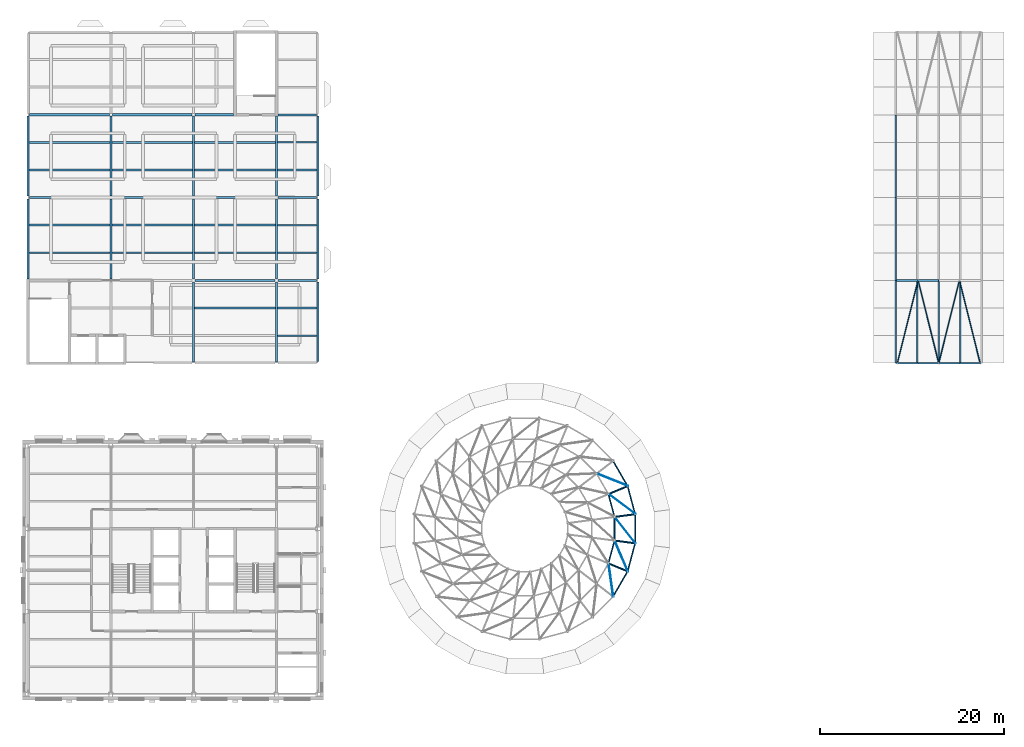
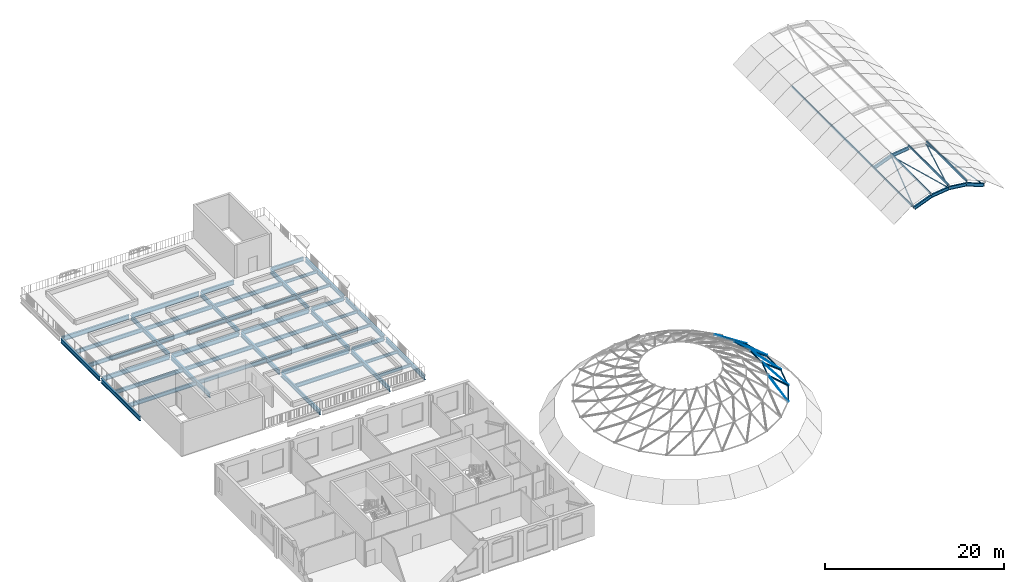
# One storey, part 7 of 33: 52 beams, 28 members.
"""IFC4 building model written with IfcOpenShell, lengths in metres."""

from ifc_helpers import new_model, si_unit, direction, frame, origin, origin_2d, place, context, subcontext, project, spatial, rectangle, hollow_rectangle, circle, hollow_circle, i_section, extrude, material, material_profile, profile_set, type_object, element, save


model = new_model("IFC4")

# Units and contexts
model_context = context("Model", 3, precision=1e-05, world=origin(), true_north=direction((0.0, 1.0)))
body_context = subcontext(model_context, "Body", "Model", "MODEL_VIEW")
ifc_project = project(units=[si_unit("LENGTHUNIT", "METRE"), si_unit("AREAUNIT", "SQUARE_METRE"), si_unit("VOLUMEUNIT", "CUBIC_METRE"), si_unit("PLANEANGLEUNIT", "RADIAN"), si_unit("MASSUNIT", "GRAM", prefix="KILO")], contexts=[model_context])

# Site, building, storey
site_placement = place(None, origin())
site = spatial("IfcSite", under=ifc_project, at=site_placement, CompositionType="ELEMENT")
building_placement = place(site_placement, origin())
building = spatial("IfcBuilding", under=site, at=building_placement, Name="Hortulan Conservatory and Botanical Research Centre", CompositionType="ELEMENT")
storey_placement = place(building_placement, frame((0.0, 0.0, 19.199951171875)))
storey = spatial("IfcBuildingStorey", under=building, at=storey_placement, Name="L04", CompositionType="ELEMENT", Elevation=19.199951171875)

# Members
ifc_material_1 = material(Name="Steel Grade 300PLUS (AS/NZS 3679.1, 280 MPa minimum yield)", Category="steel")
ifc_material_profile_1 = material_profile(ifc_material_1, circle(Radius=0.011962890625, at=origin_2d()), Name="24 dia rod")
ifc_profile_set_1 = profile_set([ifc_material_profile_1], Name="Steel Grade 300PLUS (AS/NZS 3679.1, 280 MPa minimum yield)")
member_type_1 = type_object("IfcMemberType", Name="Dome Diagonal Rod 24 dia rod", PredefinedType="BRACE", material=ifc_profile_set_1)
member_1_placement = place(storey_placement, frame((65.99658203125, 19.579345703125, 0.4365234375), z_axis=(-0.730872378589, 0.549350926375, 0.405017439016), x_axis=(-0.600837299522, -0.799371340181, 0.0)))
element("IfcMember", 1, at=member_1_placement, inside=storey, type_object=member_type_1, Name="Dome diagonal rod row 5 panel 01", PredefinedType="BRACE", context=body_context, shape_type="SweptSolid", body=[
    extrude(circle(Radius=0.011962890625, at=origin_2d()), origin(), (0.0, 0.0, 1.0), 3.978515625),
])
for number, where, z_axis, x_axis, name in (
    (2, (65.178955078125, 22.630615234375, 0.4365234375), (-0.848139316729, 0.341465062104, 0.405044825645), (-0.373472871986, -0.927641101877, 0.0), "Dome diagonal rod row 5 panel 02"),
    (3, (63.599609375, 10.634033203125, 0.4365234375), (-0.128389723869, 0.905233473745, 0.40505362215), (-0.990091297131, -0.140425152108, 0.0), "Dome diagonal rod row 5 panel 22"),
):
    element("IfcMember", number, at=place(storey_placement, frame(where, z_axis=z_axis, x_axis=x_axis)), inside=storey, type_object=member_type_1, Name=name, PredefinedType="BRACE", context=body_context, shape_type="SweptSolid", body=[
        extrude(circle(Radius=0.011962890625, at=origin_2d()), origin(), (0.0, 0.0, 1.0), 3.97802734375),
    ])
for number, where, z_axis, x_axis, name in (
    (4, (65.178955078125, 13.369384765625, 0.4365234375), (-0.35827138585, 0.841182919809, 0.405034454712), (-0.920028012048, -0.39185259607, 0.0), "Dome diagonal rod row 5 panel 23"),
    (5, (65.99658203125, 16.420654296875, 0.4365234375), (-0.563788980765, 0.719786759049, 0.405029636774), (-0.787251404605, -0.616632164217, 0.0), "Dome diagonal rod row 5 panel 24"),
):
    element("IfcMember", number, at=place(storey_placement, frame(where, z_axis=z_axis, x_axis=x_axis)), inside=storey, type_object=member_type_1, Name=name, PredefinedType="BRACE", context=body_context, shape_type="SweptSolid", body=[
        extrude(circle(Radius=0.011962890625, at=origin_2d()), origin(), (0.0, 0.0, 1.0), 3.978271484375),
    ])
ifc_material_2 = material(Name="Bronze-finished aluminium", Category="aluminium")
ifc_material_profile_2 = material_profile(ifc_material_2, rectangle(XDim=0.050048828125, YDim=0.050048828125, at=origin_2d()), Name="Square bar 50x50")
ifc_profile_set_2 = profile_set([ifc_material_profile_2], Name="Bronze-finished aluminium")
member_type_2 = type_object("IfcMemberType", Name="Dome Glazing Bar 50x50", PredefinedType="MEMBER", material=ifc_profile_set_2)
for number, where, z_axis, x_axis, name in (
    (6, (66.041015625, 19.585205078125, 0.49072265625), (-0.730834494432, 0.549364003386, 0.405068060371), (-0.600866339912, -0.799349511516, 0.0), "Dome glazing bar row 5 panel 01"),
    (7, (65.220458984375, 22.647705078125, 0.49072265625), (-0.848117516908, 0.341484848384, 0.405073790608), (-0.373499755129, -0.927630278138, 0.0), "Dome glazing bar row 5 panel 02"),
    (8, (63.63525390625, 10.606689453125, 0.49072265625), (-0.128340334804, 0.905230422477, 0.405076092463), (-0.990098740456, -0.140372661683, 0.0), "Dome glazing bar row 5 panel 22"),
):
    element("IfcMember", number, at=place(storey_placement, frame(where, z_axis=z_axis, x_axis=x_axis)), inside=storey, type_object=member_type_2, Name=name, PredefinedType="MEMBER", context=body_context, shape_type="SweptSolid", body=[
        extrude(rectangle(XDim=0.050048828125, YDim=0.050048828125, at=origin_2d()), origin(), (0.0, 0.0, 1.0), 3.992919921875),
    ])
member_2_placement = place(storey_placement, frame((65.220458984375, 13.352294921875, 0.49072265625), z_axis=(-0.358282290024, 0.841168557363, 0.405054636759), x_axis=(-0.920021300217, -0.391868354359, 0.0)))
element("IfcMember", 9, at=member_2_placement, inside=storey, type_object=member_type_2, Name="Dome glazing bar row 5 panel 23", PredefinedType="MEMBER", context=body_context, shape_type="SweptSolid", body=[
    extrude(rectangle(XDim=0.050048828125, YDim=0.050048828125, at=origin_2d()), origin(), (0.0, 0.0, 1.0), 3.9931640625),
])
member_3_placement = place(storey_placement, frame((66.041015625, 16.414794921875, 0.49072265625), z_axis=(-0.563791077974, 0.719764512517, 0.405066250036), x_axis=(-0.787241039049, -0.616645397645, 0.0)))
element("IfcMember", 10, at=member_3_placement, inside=storey, type_object=member_type_2, Name="Dome glazing bar row 5 panel 24", PredefinedType="MEMBER", context=body_context, shape_type="SweptSolid", body=[
    extrude(rectangle(XDim=0.050048828125, YDim=0.050048828125, at=origin_2d()), origin(), (0.0, 0.0, 1.0), 3.992919921875),
])

# Beams
ifc_material_3 = material(Name="Steel Grade C350L0 (350 MPa, AS/NZS 1163)", Category="steel")
ifc_material_profile_3 = material_profile(ifc_material_3, hollow_circle(Radius=0.109619140625, WallThickness=0.00830078125, at=origin_2d()), Name="219.1x8.2CHS")
ifc_profile_set_3 = profile_set([ifc_material_profile_3], Name="Steel Grade C350L0 (350 MPa, AS/NZS 1163)")
beam_type_1 = type_object("IfcBeamType", Name="Dome Rib 219.1x8.2 CHS", PredefinedType="BEAM", material=ifc_profile_set_3)
beam_1_placement = place(storey_placement, frame((65.99658203125, 19.579345703125, 0.4365234375), z_axis=(-0.807548421154, -0.106272563533, 0.580147989509), x_axis=(0.130474054037, -0.991451724101, 0.0)))
element("IfcBeam", 11, at=beam_1_placement, inside=storey, type_object=beam_type_1, Name="Dome rib 01 segment 5", PredefinedType="BEAM", context=body_context, shape_type="SweptSolid", body=[
    extrude(hollow_circle(Radius=0.109619140625, WallThickness=0.00830078125, at=origin_2d()), origin(), (0.0, 0.0, 1.0), 2.77734375),
])
for number, where, z_axis, x_axis, name in (
    (12, (65.178955078125, 22.630615234375, 0.4365234375), (-0.752515905335, -0.311695059025, 0.580143087865), (0.382675850727, -0.923882672892, 0.0), "Dome rib 02 segment 5"),
    (13, (65.178955078125, 13.369384765625, 0.4365234375), (-0.752515905335, 0.311695059025, 0.580143087865), (-0.382675850727, -0.923882672892, 0.0), "Dome rib 23 segment 5"),
):
    element("IfcBeam", number, at=place(storey_placement, frame(where, z_axis=z_axis, x_axis=x_axis)), inside=storey, type_object=beam_type_1, Name=name, PredefinedType="BEAM", context=body_context, shape_type="SweptSolid", body=[
        extrude(hollow_circle(Radius=0.109619140625, WallThickness=0.00830078125, at=origin_2d()), origin(), (0.0, 0.0, 1.0), 2.777587890625),
    ])
beam_2_placement = place(storey_placement, frame((65.99658203125, 16.420654296875, 0.4365234375), z_axis=(-0.807548421154, 0.106272563533, 0.580147989509), x_axis=(-0.130474054037, -0.991451724101, 0.0)))
element("IfcBeam", 14, at=beam_2_placement, inside=storey, type_object=beam_type_1, Name="Dome rib 24 segment 5", PredefinedType="BEAM", context=body_context, shape_type="SweptSolid", body=[
    extrude(hollow_circle(Radius=0.109619140625, WallThickness=0.00830078125, at=origin_2d()), origin(), (0.0, 0.0, 1.0), 2.77734375),
])

# Members
ifc_material_profile_4 = material_profile(ifc_material_3, hollow_circle(Radius=0.084228515625, WallThickness=0.00634765625, at=origin_2d()), Name="168.3x6.4CHS")
ifc_profile_set_4 = profile_set([ifc_material_profile_4], Name="Steel Grade C350L0 (350 MPa, AS/NZS 1163)")
member_type_3 = type_object("IfcMemberType", Name="Dome Ring 168.3x6.4 CHS", PredefinedType="PURLIN", material=ifc_profile_set_4)
member_4_placement = place(storey_placement, frame((65.99658203125, 19.579345703125, 0.4365234375), z_axis=(-0.258831375211, 0.965922522362, 0.0), x_axis=(-0.965922522362, -0.258831375211, 0.0)))
element("IfcMember", 15, at=member_4_placement, inside=storey, type_object=member_type_3, Name="Dome ring 4 chord 01", PredefinedType="PURLIN", context=body_context, shape_type="SweptSolid", body=[
    extrude(hollow_circle(Radius=0.084228515625, WallThickness=0.00634765625, at=origin_2d()), origin(), (0.0, 0.0, 1.0), 3.158935546875),
])
for number, where, z_axis, x_axis, name in (
    (16, (65.178955078125, 22.630615234375, 0.4365234375), (-0.500021309151, 0.866013100591, 0.0), (-0.866013100591, -0.500021309151, 0.0), "Dome ring 4 chord 02"),
    (17, (63.599609375, 10.634033203125, 0.4365234375), (0.500021309151, 0.866013100591, 0.0), (-0.866013100591, 0.500021309151, 0.0), "Dome ring 4 chord 22"),
):
    element("IfcMember", number, at=place(storey_placement, frame(where, z_axis=z_axis, x_axis=x_axis)), inside=storey, type_object=member_type_3, Name=name, PredefinedType="PURLIN", context=body_context, shape_type="SweptSolid", body=[
        extrude(hollow_circle(Radius=0.084228515625, WallThickness=0.00634765625, at=origin_2d()), origin(), (0.0, 0.0, 1.0), 3.158447265625),
    ])
member_5_placement = place(storey_placement, frame((65.178955078125, 13.369384765625, 0.4365234375), z_axis=(0.258831375211, 0.965922522362, 0.0), x_axis=(-0.965922522362, 0.258831375211, 0.0)))
element("IfcMember", 18, at=member_5_placement, inside=storey, type_object=member_type_3, Name="Dome ring 4 chord 23", PredefinedType="PURLIN", context=body_context, shape_type="SweptSolid", body=[
    extrude(hollow_circle(Radius=0.084228515625, WallThickness=0.00634765625, at=origin_2d()), origin(), (0.0, 0.0, 1.0), 3.158935546875),
])
member_6_placement = place(storey_placement, frame((65.99658203125, 16.420654296875, 0.4365234375), z_axis=(0.0, 1.0, 0.0), x_axis=(-1.0, 0.0, 0.0)))
element("IfcMember", 19, at=member_6_placement, inside=storey, type_object=member_type_3, Name="Dome ring 4 chord 24", PredefinedType="PURLIN", context=body_context, shape_type="SweptSolid", body=[
    extrude(hollow_circle(Radius=0.084228515625, WallThickness=0.00634765625, at=origin_2d()), origin(), (0.0, 0.0, 1.0), 3.15869140625),
])
for number, where, z_axis, x_axis, name in (
    (20, (63.753662109375, 19.2841796875, 2.0478515625), (-0.258851706779, 0.965917074027, 0.0), (-0.965917074027, -0.258851706779, 0.0), "Dome ring 5 chord 01"),
    (21, (63.0888671875, 14.235107421875, 2.0478515625), (0.258851706779, 0.965917074027, 0.0), (-0.965917074027, 0.258851706779, 0.0), "Dome ring 5 chord 23"),
    (22, (63.753662109375, 16.7158203125, 2.0478515625), (0.0, 1.0, 0.0), (-1.0, 0.0, 0.0), "Dome ring 5 chord 24"),
):
    element("IfcMember", number, at=place(storey_placement, frame(where, z_axis=z_axis, x_axis=x_axis)), inside=storey, type_object=member_type_3, Name=name, PredefinedType="PURLIN", context=body_context, shape_type="SweptSolid", body=[
        extrude(hollow_circle(Radius=0.084228515625, WallThickness=0.00634765625, at=origin_2d()), origin(), (0.0, 0.0, 1.0), 2.568359375),
    ])

# Beams
ifc_material_profile_5 = material_profile(ifc_material_1, i_section(OverallWidth=0.208984375, OverallDepth=0.528076171875, WebThickness=0.009521484375, FlangeThickness=0.01318359375, FilletRadius=0.013916015625, at=origin_2d()), Name="530UB82.0")
ifc_profile_set_5 = profile_set([ifc_material_profile_5], Name="Steel Grade 300PLUS (AS/NZS 3679.1, 280 MPa minimum yield)")
beam_type_2 = type_object("IfcBeamType", Name="Primary Beam 530UB82.0", PredefinedType="BEAM", material=ifc_profile_set_5)
for number, where, z_axis, x_axis, name in (
    (23, (27.153564453125, 45.0, -0.513916015625), (1.0, 0.0, 0.0), (0.0, 1.0, 0.0), "530UB82.0 girder"),
    (24, (27.153564453125, 54.0, -0.513916015625), (1.0, 0.0, 0.0), (0.0, 1.0, 0.0), "530UB82.0 girder"),
):
    element("IfcBeam", number, at=place(storey_placement, frame(where, z_axis=z_axis, x_axis=x_axis)), inside=storey, type_object=beam_type_2, Name=name, PredefinedType="BEAM", context=body_context, shape_type="SweptSolid", body=[
        extrude(i_section(OverallWidth=0.208984375, OverallDepth=0.528076171875, WebThickness=0.009521484375, FlangeThickness=0.01318359375, FilletRadius=0.013916015625, at=origin_2d()), origin(), (0.0, 0.0, 1.0), 4.19287109375),
    ])
beam_3_placement = place(storey_placement, frame((27.14990234375, 63.0, -0.513916015625), z_axis=(1.0, 0.0, 0.0), x_axis=(0.0, 1.0, 0.0)))
element("IfcBeam", 25, at=beam_3_placement, inside=storey, type_object=beam_type_2, Name="530UB82.0 girder", PredefinedType="BEAM", context=body_context, shape_type="SweptSolid", body=[
    extrude(i_section(OverallWidth=0.208984375, OverallDepth=0.528076171875, WebThickness=0.009521484375, FlangeThickness=0.01318359375, FilletRadius=0.013916015625, at=origin_2d()), origin(), (0.0, 0.0, 1.0), 4.196533203125),
])
ifc_material_profile_6 = material_profile(ifc_material_1, i_section(OverallWidth=0.22802734375, OverallDepth=0.60693359375, WebThickness=0.01123046875, FlangeThickness=0.017333984375, FilletRadius=0.013916015625, at=origin_2d()), Name="610UB113")
ifc_profile_set_6 = profile_set([ifc_material_profile_6], Name="Steel Grade 300PLUS (AS/NZS 3679.1, 280 MPa minimum yield)")
beam_type_3 = type_object("IfcBeamType", Name="Primary Beam 610UB113", PredefinedType="BEAM", material=ifc_profile_set_6)
beam_4_placement = place(storey_placement, frame((0.0, 45.14990234375, -0.553466796875), z_axis=(0.0, 1.0, 0.0), x_axis=(-1.0, 0.0, 0.0)))
element("IfcBeam", 26, at=beam_4_placement, inside=storey, type_object=beam_type_3, Name="610UB113 girder", PredefinedType="BEAM", context=body_context, shape_type="SweptSolid", body=[
    extrude(i_section(OverallWidth=0.22802734375, OverallDepth=0.60693359375, WebThickness=0.01123046875, FlangeThickness=0.017333984375, FilletRadius=0.013916015625, at=origin_2d()), origin(), (0.0, 0.0, 1.0), 8.692626953125),
])
for number, where, z_axis, x_axis, name in (
    (27, (0.0, 54.157470703125, -0.553466796875), (0.0, 1.0, 0.0), (-1.0, 0.0, 0.0), "610UB113 girder"),
    (28, (31.5, 36.157470703125, -0.553466796875), (0.0, 1.0, 0.0), (-1.0, 0.0, 0.0), "610UB113 girder"),
    (29, (31.5, 45.157470703125, -0.553466796875), (0.0, 1.0, 0.0), (-1.0, 0.0, 0.0), "610UB113 girder"),
    (30, (31.5, 54.157470703125, -0.553466796875), (0.0, 1.0, 0.0), (-1.0, 0.0, 0.0), "610UB113 girder"),
):
    element("IfcBeam", number, at=place(storey_placement, frame(where, z_axis=z_axis, x_axis=x_axis)), inside=storey, type_object=beam_type_3, Name=name, PredefinedType="BEAM", context=body_context, shape_type="SweptSolid", body=[
        extrude(i_section(OverallWidth=0.22802734375, OverallDepth=0.60693359375, WebThickness=0.01123046875, FlangeThickness=0.017333984375, FilletRadius=0.013916015625, at=origin_2d()), origin(), (0.0, 0.0, 1.0), 8.68505859375),
    ])
ifc_material_profile_7 = material_profile(ifc_material_1, i_section(OverallWidth=0.22900390625, OverallDepth=0.612060546875, WebThickness=0.011962890625, FlangeThickness=0.01953125, FilletRadius=0.013916015625, at=origin_2d()), Name="610UB125")
ifc_profile_set_7 = profile_set([ifc_material_profile_7], Name="Steel Grade 300PLUS (AS/NZS 3679.1, 280 MPa minimum yield)")
beam_type_4 = type_object("IfcBeamType", Name="Primary Beam 610UB125", PredefinedType="BEAM", material=ifc_profile_set_7)
for number, where, z_axis, x_axis, name in (
    (31, (0.153564453125, 54.0, -0.555908203125), (1.0, 0.0, 0.0), (0.0, 1.0, 0.0), "610UB125 girder"),
    (32, (0.153564453125, 63.0, -0.555908203125), (1.0, 0.0, 0.0), (0.0, 1.0, 0.0), "610UB125 girder"),
):
    element("IfcBeam", number, at=place(storey_placement, frame(where, z_axis=z_axis, x_axis=x_axis)), inside=storey, type_object=beam_type_4, Name=name, PredefinedType="BEAM", context=body_context, shape_type="SweptSolid", body=[
        extrude(i_section(OverallWidth=0.22900390625, OverallDepth=0.612060546875, WebThickness=0.011962890625, FlangeThickness=0.01953125, FilletRadius=0.013916015625, at=origin_2d()), origin(), (0.0, 0.0, 1.0), 8.69287109375),
    ])
for number, where, z_axis, x_axis, name in (
    (33, (9.0, 45.157470703125, -0.555908203125), (0.0, 1.0, 0.0), (-1.0, 0.0, 0.0), "610UB125 girder"),
    (34, (9.0, 54.157470703125, -0.555908203125), (0.0, 1.0, 0.0), (-1.0, 0.0, 0.0), "610UB125 girder"),
):
    element("IfcBeam", number, at=place(storey_placement, frame(where, z_axis=z_axis, x_axis=x_axis)), inside=storey, type_object=beam_type_4, Name=name, PredefinedType="BEAM", context=body_context, shape_type="SweptSolid", body=[
        extrude(i_section(OverallWidth=0.22900390625, OverallDepth=0.612060546875, WebThickness=0.011962890625, FlangeThickness=0.01953125, FilletRadius=0.013916015625, at=origin_2d()), origin(), (0.0, 0.0, 1.0), 8.68505859375),
    ])
for number, where, z_axis, x_axis, name in (
    (35, (9.153564453125, 54.0, -0.555908203125), (1.0, 0.0, 0.0), (0.0, 1.0, 0.0), "610UB125 girder"),
    (36, (9.153564453125, 63.0, -0.555908203125), (1.0, 0.0, 0.0), (0.0, 1.0, 0.0), "610UB125 girder"),
):
    element("IfcBeam", number, at=place(storey_placement, frame(where, z_axis=z_axis, x_axis=x_axis)), inside=storey, type_object=beam_type_4, Name=name, PredefinedType="BEAM", context=body_context, shape_type="SweptSolid", body=[
        extrude(i_section(OverallWidth=0.22900390625, OverallDepth=0.612060546875, WebThickness=0.011962890625, FlangeThickness=0.01953125, FilletRadius=0.013916015625, at=origin_2d()), origin(), (0.0, 0.0, 1.0), 8.69287109375),
    ])
beam_5_placement = place(storey_placement, frame((18.0, 36.153564453125, -0.555908203125), z_axis=(0.0, 1.0, 0.0), x_axis=(-1.0, 0.0, 0.0)))
element("IfcBeam", 37, at=beam_5_placement, inside=storey, type_object=beam_type_4, Name="610UB125 girder", PredefinedType="BEAM", context=body_context, shape_type="SweptSolid", body=[
    extrude(i_section(OverallWidth=0.22900390625, OverallDepth=0.612060546875, WebThickness=0.011962890625, FlangeThickness=0.01953125, FilletRadius=0.013916015625, at=origin_2d()), origin(), (0.0, 0.0, 1.0), 8.68896484375),
])
beam_6_placement = place(storey_placement, frame((18.0, 45.157470703125, -0.555908203125), z_axis=(0.0, 1.0, 0.0), x_axis=(-1.0, 0.0, 0.0)))
element("IfcBeam", 38, at=beam_6_placement, inside=storey, type_object=beam_type_4, Name="610UB125 girder", PredefinedType="BEAM", context=body_context, shape_type="SweptSolid", body=[
    extrude(i_section(OverallWidth=0.22900390625, OverallDepth=0.612060546875, WebThickness=0.011962890625, FlangeThickness=0.01953125, FilletRadius=0.013916015625, at=origin_2d()), origin(), (0.0, 0.0, 1.0), 8.68505859375),
])
beam_7_placement = place(storey_placement, frame((18.153564453125, 45.0, -0.555908203125), z_axis=(1.0, 0.0, 0.0), x_axis=(0.0, 1.0, 0.0)))
element("IfcBeam", 39, at=beam_7_placement, inside=storey, type_object=beam_type_4, Name="610UB125 girder", PredefinedType="BEAM", context=body_context, shape_type="SweptSolid", body=[
    extrude(i_section(OverallWidth=0.22900390625, OverallDepth=0.612060546875, WebThickness=0.011962890625, FlangeThickness=0.01953125, FilletRadius=0.013916015625, at=origin_2d()), origin(), (0.0, 0.0, 1.0), 8.69287109375),
])
beam_8_placement = place(storey_placement, frame((18.0, 54.157470703125, -0.555908203125), z_axis=(0.0, 1.0, 0.0), x_axis=(-1.0, 0.0, 0.0)))
element("IfcBeam", 40, at=beam_8_placement, inside=storey, type_object=beam_type_4, Name="610UB125 girder", PredefinedType="BEAM", context=body_context, shape_type="SweptSolid", body=[
    extrude(i_section(OverallWidth=0.22900390625, OverallDepth=0.612060546875, WebThickness=0.011962890625, FlangeThickness=0.01953125, FilletRadius=0.013916015625, at=origin_2d()), origin(), (0.0, 0.0, 1.0), 8.68505859375),
])
beam_9_placement = place(storey_placement, frame((18.153564453125, 54.0, -0.555908203125), z_axis=(1.0, 0.0, 0.0), x_axis=(0.0, 1.0, 0.0)))
element("IfcBeam", 41, at=beam_9_placement, inside=storey, type_object=beam_type_4, Name="610UB125 girder", PredefinedType="BEAM", context=body_context, shape_type="SweptSolid", body=[
    extrude(i_section(OverallWidth=0.22900390625, OverallDepth=0.612060546875, WebThickness=0.011962890625, FlangeThickness=0.01953125, FilletRadius=0.013916015625, at=origin_2d()), origin(), (0.0, 0.0, 1.0), 8.69287109375),
])
beam_10_placement = place(storey_placement, frame((18.153564453125, 63.0, -0.555908203125), z_axis=(1.0, 0.0, 0.0), x_axis=(0.0, 1.0, 0.0)))
element("IfcBeam", 42, at=beam_10_placement, inside=storey, type_object=beam_type_4, Name="610UB125 girder", PredefinedType="BEAM", context=body_context, shape_type="SweptSolid", body=[
    extrude(i_section(OverallWidth=0.22900390625, OverallDepth=0.612060546875, WebThickness=0.011962890625, FlangeThickness=0.01953125, FilletRadius=0.013916015625, at=origin_2d()), origin(), (0.0, 0.0, 1.0), 4.196533203125),
])
beam_11_placement = place(storey_placement, frame((27.0, 36.153564453125, -0.555908203125), z_axis=(0.0, 1.0, 0.0), x_axis=(-1.0, 0.0, 0.0)))
element("IfcBeam", 43, at=beam_11_placement, inside=storey, type_object=beam_type_4, Name="610UB125 girder", PredefinedType="BEAM", context=body_context, shape_type="SweptSolid", body=[
    extrude(i_section(OverallWidth=0.22900390625, OverallDepth=0.612060546875, WebThickness=0.011962890625, FlangeThickness=0.01953125, FilletRadius=0.013916015625, at=origin_2d()), origin(), (0.0, 0.0, 1.0), 8.68896484375),
])
beam_12_placement = place(storey_placement, frame((27.0, 45.157470703125, -0.555908203125), z_axis=(0.0, 1.0, 0.0), x_axis=(-1.0, 0.0, 0.0)))
element("IfcBeam", 44, at=beam_12_placement, inside=storey, type_object=beam_type_4, Name="610UB125 girder", PredefinedType="BEAM", context=body_context, shape_type="SweptSolid", body=[
    extrude(i_section(OverallWidth=0.22900390625, OverallDepth=0.612060546875, WebThickness=0.011962890625, FlangeThickness=0.01953125, FilletRadius=0.013916015625, at=origin_2d()), origin(), (0.0, 0.0, 1.0), 8.68505859375),
])
beam_13_placement = place(storey_placement, frame((27.0, 54.157470703125, -0.555908203125), z_axis=(0.0, 1.0, 0.0), x_axis=(-1.0, 0.0, 0.0)))
element("IfcBeam", 45, at=beam_13_placement, inside=storey, type_object=beam_type_4, Name="610UB125 girder", PredefinedType="BEAM", context=body_context, shape_type="SweptSolid", body=[
    extrude(i_section(OverallWidth=0.22900390625, OverallDepth=0.612060546875, WebThickness=0.011962890625, FlangeThickness=0.01953125, FilletRadius=0.013916015625, at=origin_2d()), origin(), (0.0, 0.0, 1.0), 8.692626953125),
])
ifc_material_profile_8 = material_profile(ifc_material_1, i_section(OverallWidth=0.177978515625, OverallDepth=0.406005859375, WebThickness=0.0078125, FlangeThickness=0.0126953125, FilletRadius=0.011474609375, at=origin_2d()), Name="410UB59.7")
ifc_profile_set_8 = profile_set([ifc_material_profile_8], Name="Steel Grade 300PLUS (AS/NZS 3679.1, 280 MPa minimum yield)")
beam_type_5 = type_object("IfcBeamType", Name="Secondary Beam 410UB59.7", PredefinedType="JOIST", material=ifc_profile_set_8)
for number, where, z_axis, x_axis, name in (
    (46, (27.114501953125, 39.0, -0.452880859375), (1.0, 0.0, 0.0), (0.0, 1.0, 0.0), "410UB59.7 secondary beam"),
    (47, (27.114501953125, 42.0, -0.452880859375), (1.0, 0.0, 0.0), (0.0, 1.0, 0.0), "410UB59.7 secondary beam"),
    (48, (27.114501953125, 48.0, -0.452880859375), (1.0, 0.0, 0.0), (0.0, 1.0, 0.0), "410UB59.7 secondary beam"),
    (49, (27.114501953125, 51.0, -0.452880859375), (1.0, 0.0, 0.0), (0.0, 1.0, 0.0), "410UB59.7 secondary beam"),
    (50, (27.114501953125, 57.0, -0.452880859375), (1.0, 0.0, 0.0), (0.0, 1.0, 0.0), "410UB59.7 secondary beam"),
    (51, (27.114501953125, 60.0, -0.452880859375), (1.0, 0.0, 0.0), (0.0, 1.0, 0.0), "410UB59.7 secondary beam"),
):
    element("IfcBeam", number, at=place(storey_placement, frame(where, z_axis=z_axis, x_axis=x_axis)), inside=storey, type_object=beam_type_5, Name=name, PredefinedType="JOIST", context=body_context, shape_type="SweptSolid", body=[
        extrude(i_section(OverallWidth=0.177978515625, OverallDepth=0.406005859375, WebThickness=0.0078125, FlangeThickness=0.0126953125, FilletRadius=0.011474609375, at=origin_2d()), origin(), (0.0, 0.0, 1.0), 4.271484375),
    ])
ifc_material_profile_9 = material_profile(ifc_material_1, i_section(OverallWidth=0.208984375, OverallDepth=0.528076171875, WebThickness=0.009521484375, FlangeThickness=0.01318359375, FilletRadius=0.013916015625, at=origin_2d()), Name="530UB82.0")
ifc_profile_set_9 = profile_set([ifc_material_profile_9], Name="Steel Grade 300PLUS (AS/NZS 3679.1, 280 MPa minimum yield)")
beam_type_6 = type_object("IfcBeamType", Name="Secondary Beam 530UB82.0", PredefinedType="JOIST", material=ifc_profile_set_9)
for number, where, z_axis, x_axis, name in (
    (52, (0.114013671875, 48.0, -0.513916015625), (1.0, 0.0, 0.0), (0.0, 1.0, 0.0), "530UB82.0 secondary beam"),
    (53, (0.114013671875, 51.0, -0.513916015625), (1.0, 0.0, 0.0), (0.0, 1.0, 0.0), "530UB82.0 secondary beam"),
    (54, (0.114013671875, 57.0, -0.513916015625), (1.0, 0.0, 0.0), (0.0, 1.0, 0.0), "530UB82.0 secondary beam"),
    (55, (0.114013671875, 60.0, -0.513916015625), (1.0, 0.0, 0.0), (0.0, 1.0, 0.0), "530UB82.0 secondary beam"),
):
    element("IfcBeam", number, at=place(storey_placement, frame(where, z_axis=z_axis, x_axis=x_axis)), inside=storey, type_object=beam_type_6, Name=name, PredefinedType="JOIST", context=body_context, shape_type="SweptSolid", body=[
        extrude(i_section(OverallWidth=0.208984375, OverallDepth=0.528076171875, WebThickness=0.009521484375, FlangeThickness=0.01318359375, FilletRadius=0.013916015625, at=origin_2d()), origin(), (0.0, 0.0, 1.0), 8.771484375),
    ])
for number, where, z_axis, x_axis, name in (
    (56, (9.114501953125, 48.0, -0.513916015625), (1.0, 0.0, 0.0), (0.0, 1.0, 0.0), "530UB82.0 secondary beam"),
    (57, (9.114501953125, 51.0, -0.513916015625), (1.0, 0.0, 0.0), (0.0, 1.0, 0.0), "530UB82.0 secondary beam"),
    (58, (9.114501953125, 57.0, -0.513916015625), (1.0, 0.0, 0.0), (0.0, 1.0, 0.0), "530UB82.0 secondary beam"),
    (59, (9.114501953125, 60.0, -0.513916015625), (1.0, 0.0, 0.0), (0.0, 1.0, 0.0), "530UB82.0 secondary beam"),
    (60, (18.114501953125, 42.0, -0.513916015625), (1.0, 0.0, 0.0), (0.0, 1.0, 0.0), "530UB82.0 secondary beam"),
    (61, (18.114501953125, 48.0, -0.513916015625), (1.0, 0.0, 0.0), (0.0, 1.0, 0.0), "530UB82.0 secondary beam"),
    (62, (18.114501953125, 51.0, -0.513916015625), (1.0, 0.0, 0.0), (0.0, 1.0, 0.0), "530UB82.0 secondary beam"),
    (63, (18.114501953125, 57.0, -0.513916015625), (1.0, 0.0, 0.0), (0.0, 1.0, 0.0), "530UB82.0 secondary beam"),
    (64, (18.114501953125, 60.0, -0.513916015625), (1.0, 0.0, 0.0), (0.0, 1.0, 0.0), "530UB82.0 secondary beam"),
):
    element("IfcBeam", number, at=place(storey_placement, frame(where, z_axis=z_axis, x_axis=x_axis)), inside=storey, type_object=beam_type_6, Name=name, PredefinedType="JOIST", context=body_context, shape_type="SweptSolid", body=[
        extrude(i_section(OverallWidth=0.208984375, OverallDepth=0.528076171875, WebThickness=0.009521484375, FlangeThickness=0.01318359375, FilletRadius=0.013916015625, at=origin_2d()), origin(), (0.0, 0.0, 1.0), 8.77099609375),
    ])
ifc_material_profile_10 = material_profile(ifc_material_1, i_section(OverallWidth=0.18994140625, OverallDepth=0.45703125, WebThickness=0.009033203125, FlangeThickness=0.014404296875, FilletRadius=0.011474609375, at=origin_2d()), Name="460UB74.6")
ifc_profile_set_10 = profile_set([ifc_material_profile_10], Name="Steel Grade 300PLUS (AS/NZS 3679.1, 280 MPa minimum yield)")
beam_type_7 = type_object("IfcBeamType", Name="Vault Arch 460UB74.6", PredefinedType="BEAM", material=ifc_profile_set_10)
beam_14_placement = place(storey_placement, frame((94.5, 36.0, 0.636962890625), z_axis=(0.930392743285, 0.0, 0.366564241631), x_axis=(0.0, 1.0, 0.0)))
element("IfcBeam", 65, at=beam_14_placement, inside=storey, type_object=beam_type_7, Name="Vault arch 1 chord 3", PredefinedType="BEAM", context=body_context, shape_type="SweptSolid", body=[
    extrude(i_section(OverallWidth=0.18994140625, OverallDepth=0.45703125, WebThickness=0.009033203125, FlangeThickness=0.014404296875, FilletRadius=0.011474609375, at=origin_2d()), origin(), (0.0, 0.0, 1.0), 2.418212890625),
])
for number, where, z_axis, x_axis, name in (
    (66, (96.75, 36.0, 1.5234375), (0.992527674609, 0.0, 0.122019732566), (0.0, 1.0, 0.0), "Vault arch 1 chord 4"),
    (67, (99.0, 36.0, 1.800048828125), (0.992527674609, 0.0, -0.122019732566), (0.0, 1.0, 0.0), "Vault arch 1 chord 5"),
):
    element("IfcBeam", number, at=place(storey_placement, frame(where, z_axis=z_axis, x_axis=x_axis)), inside=storey, type_object=beam_type_7, Name=name, PredefinedType="BEAM", context=body_context, shape_type="SweptSolid", body=[
        extrude(i_section(OverallWidth=0.18994140625, OverallDepth=0.45703125, WebThickness=0.009033203125, FlangeThickness=0.014404296875, FilletRadius=0.011474609375, at=origin_2d()), origin(), (0.0, 0.0, 1.0), 2.266845703125),
    ])
for number, where, z_axis, x_axis, name in (
    (68, (101.25, 36.0, 1.5234375), (0.930392743285, 0.0, -0.366564241631), (0.0, 1.0, 0.0), "Vault arch 1 chord 6"),
    (69, (94.5, 45.0, 0.636962890625), (0.930392743285, 0.0, 0.366564241631), (0.0, 1.0, 0.0), "Vault arch 2 chord 3"),
):
    element("IfcBeam", number, at=place(storey_placement, frame(where, z_axis=z_axis, x_axis=x_axis)), inside=storey, type_object=beam_type_7, Name=name, PredefinedType="BEAM", context=body_context, shape_type="SweptSolid", body=[
        extrude(i_section(OverallWidth=0.18994140625, OverallDepth=0.45703125, WebThickness=0.009033203125, FlangeThickness=0.014404296875, FilletRadius=0.011474609375, at=origin_2d()), origin(), (0.0, 0.0, 1.0), 2.418212890625),
    ])
beam_15_placement = place(storey_placement, frame((96.75, 45.0, 1.5234375), z_axis=(0.992527674609, 0.0, 0.122019732566), x_axis=(0.0, 1.0, 0.0)))
element("IfcBeam", 70, at=beam_15_placement, inside=storey, type_object=beam_type_7, Name="Vault arch 2 chord 4", PredefinedType="BEAM", context=body_context, shape_type="SweptSolid", body=[
    extrude(i_section(OverallWidth=0.18994140625, OverallDepth=0.45703125, WebThickness=0.009033203125, FlangeThickness=0.014404296875, FilletRadius=0.011474609375, at=origin_2d()), origin(), (0.0, 0.0, 1.0), 2.266845703125),
])

# Members
ifc_material_4 = material(Name="Steel Grade C450L0 (450 MPa, AS/NZS 1163)", Category="steel")
ifc_material_profile_11 = material_profile(ifc_material_4, hollow_rectangle(XDim=0.14990234375, YDim=0.25, WallThickness=0.009033203125, InnerFilletRadius=0.013427734375, OuterFilletRadius=0.0224609375, at=origin_2d()), Name="250x150x9RHS")
ifc_profile_set_11 = profile_set([ifc_material_profile_11], Name="Steel Grade C450L0 (450 MPa, AS/NZS 1163)")
member_type_4 = type_object("IfcMemberType", Name="Vault Purlin 250x150x9 RHS", PredefinedType="PURLIN", material=ifc_profile_set_11)
for number, where, z_axis, x_axis, name in (
    (71, (94.3251953125, 36.0, 0.94384765625), (0.0, 1.0, 0.0), (-1.0, 0.0, 0.0), "Vault purlin 2 bay 1"),
    (72, (94.3251953125, 45.0, 0.94384765625), (0.0, 1.0, 0.0), (-1.0, 0.0, 0.0), "Vault purlin 2 bay 2"),
    (73, (94.3251953125, 54.0, 0.94384765625), (0.0, 1.0, 0.0), (-1.0, 0.0, 0.0), "Vault purlin 2 bay 3"),
    (74, (96.6630859375, 36.0, 1.865234375), (0.0, 1.0, 0.0), (-1.0, 0.0, 0.0), "Vault purlin 3 bay 1"),
    (75, (99.0, 36.0, 2.15283203125), (0.0, 1.0, 0.0), (-1.0, 0.0, 0.0), "Vault purlin 4 bay 1"),
    (76, (101.3369140625, 36.0, 1.865234375), (0.0, 1.0, 0.0), (-1.0, 0.0, 0.0), "Vault purlin 5 bay 1"),
):
    element("IfcMember", number, at=place(storey_placement, frame(where, z_axis=z_axis, x_axis=x_axis)), inside=storey, type_object=member_type_4, Name=name, PredefinedType="PURLIN", context=body_context, shape_type="SweptSolid", body=[
        extrude(hollow_rectangle(XDim=0.14990234375, YDim=0.25, WallThickness=0.009033203125, InnerFilletRadius=0.013427734375, OuterFilletRadius=0.0224609375, at=origin_2d()), origin(), (0.0, 0.0, 1.0), 9.0),
    ])
ifc_material_profile_12 = material_profile(ifc_material_3, hollow_circle(Radius=0.04443359375, WallThickness=0.005859375, at=origin_2d()), Name="88.9x5.9CHS")
ifc_profile_set_12 = profile_set([ifc_material_profile_12], Name="Steel Grade C350L0 (350 MPa, AS/NZS 1163)")
member_type_5 = type_object("IfcMemberType", Name="Vault Roof Brace 88.9x5.9 CHS", PredefinedType="BRACE", material=ifc_profile_set_12)
member_7_placement = place(storey_placement, frame((94.5, 36.0, 0.636962890625), z_axis=(0.241435853681, 0.965743414724, 0.095123001814), x_axis=(-0.970142500145, 0.242535625036, 0.0)))
element("IfcMember", 77, at=member_7_placement, inside=storey, type_object=member_type_5, Name="Vault roof brace bay 1 panel 3", PredefinedType="BRACE", context=body_context, shape_type="SweptSolid", body=[
    extrude(hollow_circle(Radius=0.04443359375, WallThickness=0.005859375, at=origin_2d()), origin(), (0.0, 0.0, 1.0), 9.3193359375),
])
for number, where, z_axis, x_axis, name in (
    (78, (96.75, 45.0, 1.5234375), (0.242427883777, -0.96971153511, 0.029803688403), (0.970142500145, 0.242535625036, 0.0), "Vault roof brace bay 1 panel 4"),
    (79, (99.0, 36.0, 1.800048828125), (0.242427883777, 0.96971153511, -0.029803688403), (-0.970142500145, 0.242535625036, 0.0), "Vault roof brace bay 1 panel 5"),
):
    element("IfcMember", number, at=place(storey_placement, frame(where, z_axis=z_axis, x_axis=x_axis)), inside=storey, type_object=member_type_5, Name=name, PredefinedType="BRACE", context=body_context, shape_type="SweptSolid", body=[
        extrude(hollow_circle(Radius=0.04443359375, WallThickness=0.005859375, at=origin_2d()), origin(), (0.0, 0.0, 1.0), 9.281005859375),
    ])
member_8_placement = place(storey_placement, frame((101.25, 45.0, 1.5234375), z_axis=(0.241435853681, -0.965743414724, -0.095123001814), x_axis=(0.970142500145, 0.242535625036, 0.0)))
element("IfcMember", 80, at=member_8_placement, inside=storey, type_object=member_type_5, Name="Vault roof brace bay 1 panel 6", PredefinedType="BRACE", context=body_context, shape_type="SweptSolid", body=[
    extrude(hollow_circle(Radius=0.04443359375, WallThickness=0.005859375, at=origin_2d()), origin(), (0.0, 0.0, 1.0), 9.3193359375),
])

save(model, "model.ifc")
